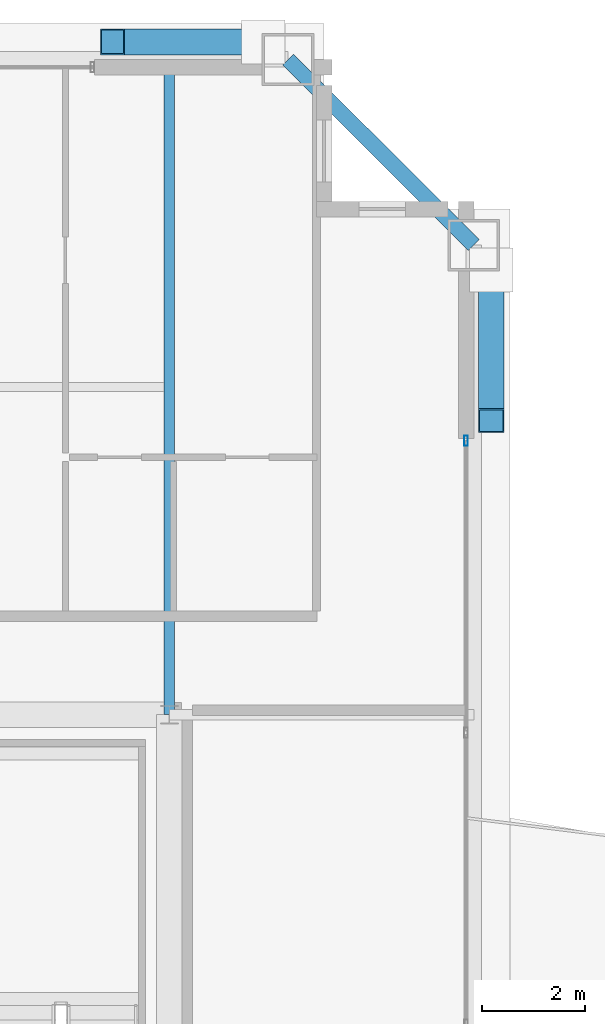
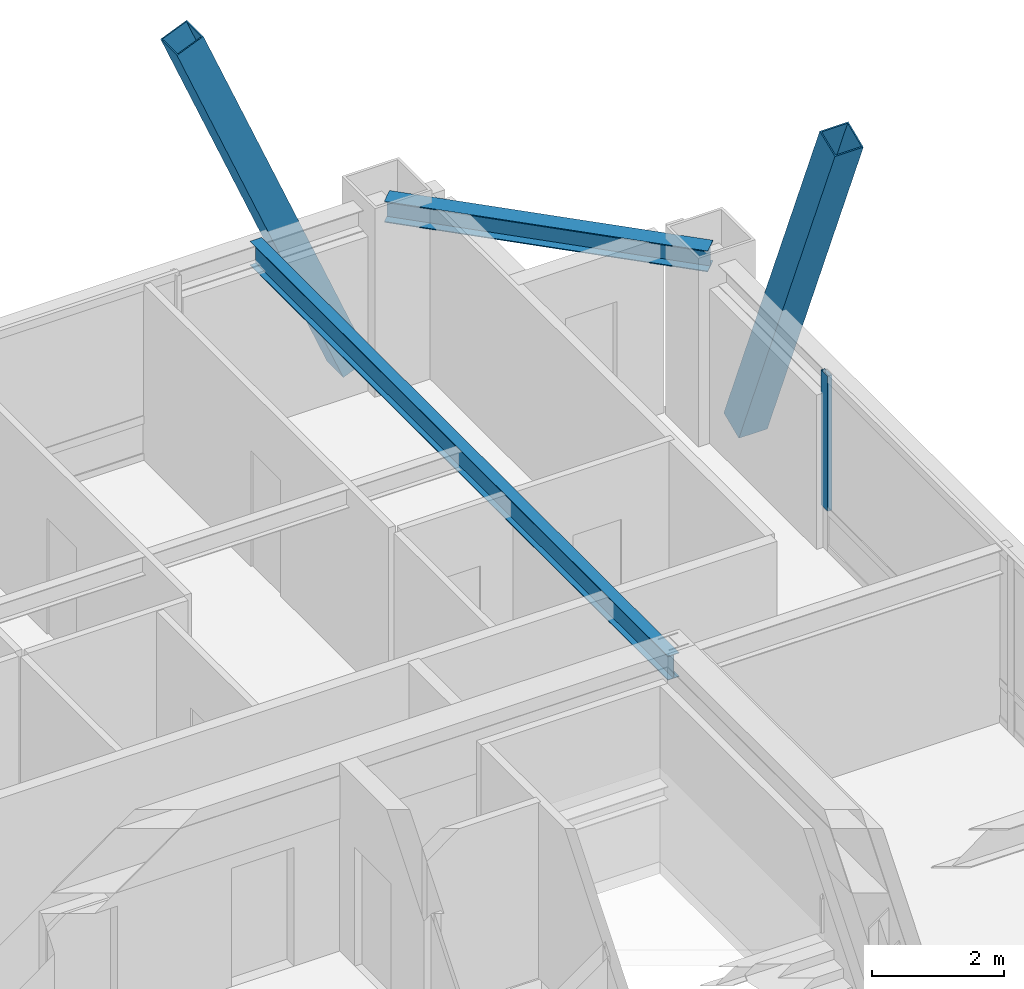
# One storey, part 19 of 35: 3 members, 2 beams, 1 element without a shape of its own.
"""IFC4 building model written with IfcOpenShell, lengths in metres."""

from ifc_helpers import new_model, si_unit, direction, frame, origin, origin_2d, place, context, subcontext, project, spatial, hollow_rectangle, i_section, extrude, source, transform, mapped, material, layer, layer_set, material_profile, profile_set, type_object, element, aggregate, save


model = new_model("IFC4")

# Units and contexts
model_context = context("Model", 3, precision=1e-05, world=origin(), true_north=direction((0.0, 1.0)))
body_context = subcontext(model_context, "Body", "Model", "MODEL_VIEW")
ifc_project = project(units=[si_unit("LENGTHUNIT", "METRE"), si_unit("AREAUNIT", "SQUARE_METRE"), si_unit("VOLUMEUNIT", "CUBIC_METRE"), si_unit("PLANEANGLEUNIT", "RADIAN"), si_unit("MASSUNIT", "GRAM", prefix="KILO"), si_unit("THERMODYNAMICTEMPERATUREUNIT", "KELVIN"), si_unit("POWERUNIT", "WATT")], contexts=[model_context])

# Site, building, storey
site_placement = place(None, origin())
site = spatial("IfcSite", under=ifc_project, at=site_placement, CompositionType="ELEMENT")
building_placement = place(site_placement, origin())
building = spatial("IfcBuilding", under=site, at=building_placement, Name="Yuzanri Waterfront Tower", CompositionType="ELEMENT")
storey_placement = place(building_placement, frame((0.0, 0.0, 335.699951171875)))
storey = spatial("IfcBuildingStorey", under=building, at=storey_placement, Name="L90", CompositionType="ELEMENT", Elevation=335.699951171875)

# Beams
ifc_material_1 = material(Name="Steel Q355B", Category="steel")
ifc_material_profile_1 = material_profile(ifc_material_1, i_section(OverallWidth=0.300048828125, OverallDepth=0.389892578125, WebThickness=0.010009765625, FlangeThickness=0.01611328125, at=origin_2d()), Name="HM 390x300x10x16")
ifc_profile_set_1 = profile_set([ifc_material_profile_1], Name="Steel Q355B")
beam_type_1 = type_object("IfcBeamType", Name="Perimeter Spandrel Q355B HM 390x300", PredefinedType="SPANDREL", material=ifc_profile_set_1)
shared_shape_1 = source(origin(), body_context, "Body", "SweptSolid", [
    extrude(i_section(OverallWidth=0.300048828125, OverallDepth=0.389892578125, WebThickness=0.010009765625, FlangeThickness=0.01611328125, at=origin_2d()), origin(), (0.0, 0.0, 1.0), 5.091064453125),
])
beam_1_placement = place(storey_placement, frame((56.10009765625, 41.300048828125, 3.06494140625), z_axis=(-0.707130757816, 0.707082803744, 0.0), x_axis=(-0.707082803744, -0.707130757816, 0.0)))
element("IfcBeam", 1, at=beam_1_placement, inside=storey, type_object=beam_type_1, Name="L90 Perimeter Spandrel E3-N3", PredefinedType="SPANDREL", context=body_context, shape_type="MappedRepresentation", body=[
    mapped(shared_shape_1, transform((0.0, 0.0, 0.0), scale=1.0)),
])
ifc_material_2 = material(Name="Steel Q355B", Category="steel")
ifc_material_profile_2 = material_profile(ifc_material_2, i_section(OverallWidth=0.199951171875, OverallDepth=0.449951171875, WebThickness=0.009033203125, FlangeThickness=0.013916015625, at=origin_2d()), Name="HN 450x200x9x14")
ifc_profile_set_2 = profile_set([ifc_material_profile_2], Name="Steel Q355B")
beam_type_2 = type_object("IfcBeamType", Name="Secondary Floor Beam Q355B HN 450x200", PredefinedType="BEAM", material=ifc_profile_set_2)
shared_shape_2 = source(origin(), body_context, "Body", "SweptSolid", [
    extrude(i_section(OverallWidth=0.199951171875, OverallDepth=0.449951171875, WebThickness=0.009033203125, FlangeThickness=0.013916015625, at=origin_2d()), origin(), (0.0, 0.0, 1.0), 12.699951171875),
])
beam_2_placement = place(storey_placement, frame((50.199951171875, 32.199951171875, 3.03515625), z_axis=(0.0, 1.0, 0.0), x_axis=(-1.0, 0.0, 0.0)))
element("IfcBeam", 2, at=beam_2_placement, inside=storey, type_object=beam_type_2, Name="L90 North-East Core Line Beam", PredefinedType="BEAM", context=body_context, shape_type="MappedRepresentation", body=[
    mapped(shared_shape_2, transform((0.0, 0.0, 0.0), scale=1.0)),
])

# Members
ifc_material_3 = material(Name="Steel Q390GJC", Category="steel")
ifc_material_profile_3 = material_profile(ifc_material_3, hollow_rectangle(XDim=0.5, YDim=0.5, WallThickness=0.02197265625, at=origin_2d()), Name="RHS 500x500x22")
ifc_profile_set_3 = profile_set([ifc_material_profile_3], Name="Steel Q390GJC")
member_type_1 = type_object("IfcMemberType", Name="Mega Brace Upper Q390GJC RHS 500x500x22", PredefinedType="BRACE", material=ifc_profile_set_3)
shared_shape_3 = source(origin(), body_context, "Body", "SweptSolid", [
    extrude(hollow_rectangle(XDim=0.5, YDim=0.5, WallThickness=0.02197265625, at=origin_2d()), origin(), (0.0, 0.0, 1.0), 7.58447265625),
])
member_1_placement = place(storey_placement, frame((52.02001953125, 45.239990234375, 0.179931640625), z_axis=(-0.384981052529, 0.0, 0.92292447643), x_axis=(0.0, -1.0, 0.0)))
element("IfcMember", 3, at=member_1_placement, inside=storey, type_object=member_type_1, Name="L90-L91 Perimeter Mega-Brace N-R", PredefinedType="BRACE", context=body_context, shape_type="MappedRepresentation", body=[
    mapped(shared_shape_3, transform((0.0, 0.0, 0.0), scale=1.0)),
])
shared_shape_4 = source(origin(), body_context, "Body", "SweptSolid", [
    extrude(hollow_rectangle(XDim=0.5, YDim=0.5, WallThickness=0.02197265625, at=origin_2d()), origin(), (0.0, 0.0, 1.0), 7.584716796875),
])
member_2_placement = place(storey_placement, frame((56.43994140625, 40.820068359375, 0.179931640625), z_axis=(0.0, -0.385008470318, 0.922913039123), x_axis=(1.0, 0.0, 0.0)))
element("IfcMember", 4, at=member_2_placement, inside=storey, type_object=member_type_1, Name="L90-L91 Perimeter Mega-Brace E-R", PredefinedType="BRACE", context=body_context, shape_type="MappedRepresentation", body=[
    mapped(shared_shape_4, transform((0.0, 0.0, 0.0), scale=1.0)),
])

# Curtain wall, member
ifc_material_4 = material(Name="Anodized Architectural Bronze", Category="metal")
ifc_layer = layer(ifc_material_4, 0.159912109375)
ifc_layer_set = layer_set([ifc_layer], Name="Anodized Architectural Bronze")
curtain_wall_type = type_object("IfcCurtainWallType", Name="Anodized Bronze High-Rise Penthouse High-Wind Unitized Curtain Wall 6900", PredefinedType="NOTDEFINED", material=ifc_layer_set)
curtain_wall_placement = place(storey_placement, origin())
curtain_wall = element("IfcCurtainWall", 5, at=curtain_wall_placement, inside=storey, type_object=curtain_wall_type, Name="L90 Curtain Wall CW-L90-ER", PredefinedType="NOTDEFINED")
ifc_material_5 = material(Name="Anodized Architectural Bronze", Category="metal")
ifc_material_profile_4 = material_profile(ifc_material_5, hollow_rectangle(XDim=0.074951171875, YDim=0.199951171875, WallThickness=0.00390625, at=origin_2d()), Name="CWM 75x200")
ifc_profile_set_4 = profile_set([ifc_material_profile_4], Name="Anodized Architectural Bronze")
member_type_2 = type_object("IfcMemberType", Name="Anodized Bronze Primary Curtain-Wall Mullion 75x200", PredefinedType="MULLION", material=ifc_profile_set_4)
shared_shape_5 = source(origin(), body_context, "Body", "SweptSolid", [
    extrude(hollow_rectangle(XDim=0.074951171875, YDim=0.199951171875, WallThickness=0.00390625, at=origin_2d()), origin(), (0.0, 0.0, 1.0), 2.508056640625),
])
member_3_placement = place(storey_placement, frame((55.949951171875, 37.510009765625, 0.751953125), z_axis=(0.0, 0.0, 1.0), x_axis=(1.0, 0.0, 0.0)))
member_3 = element("IfcMember", 6, at=member_3_placement, type_object=member_type_2, Name="CW-L90-ER Upper Mullion 02", PredefinedType="MULLION", context=body_context, shape_type="MappedRepresentation", body=[
    mapped(shared_shape_5, transform((0.0, 0.0, 0.0), scale=1.0)),
])
aggregate(curtain_wall, [member_3])

save(model, "model.ifc")
